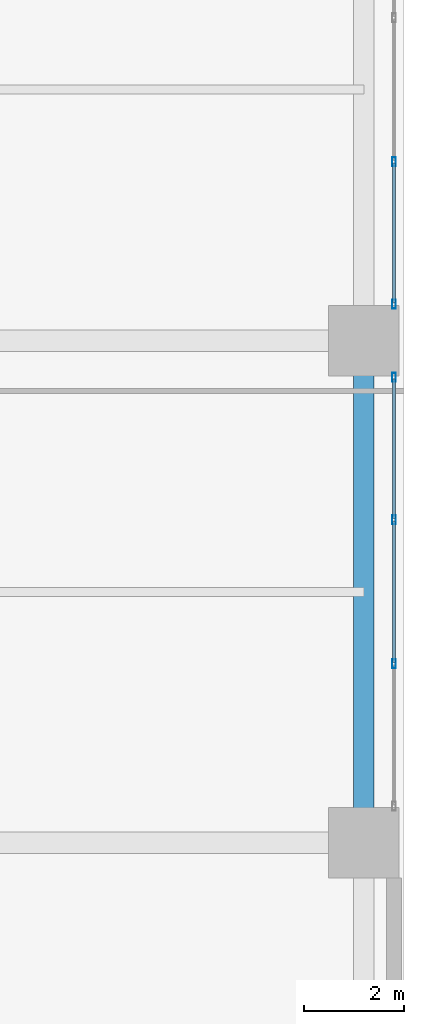
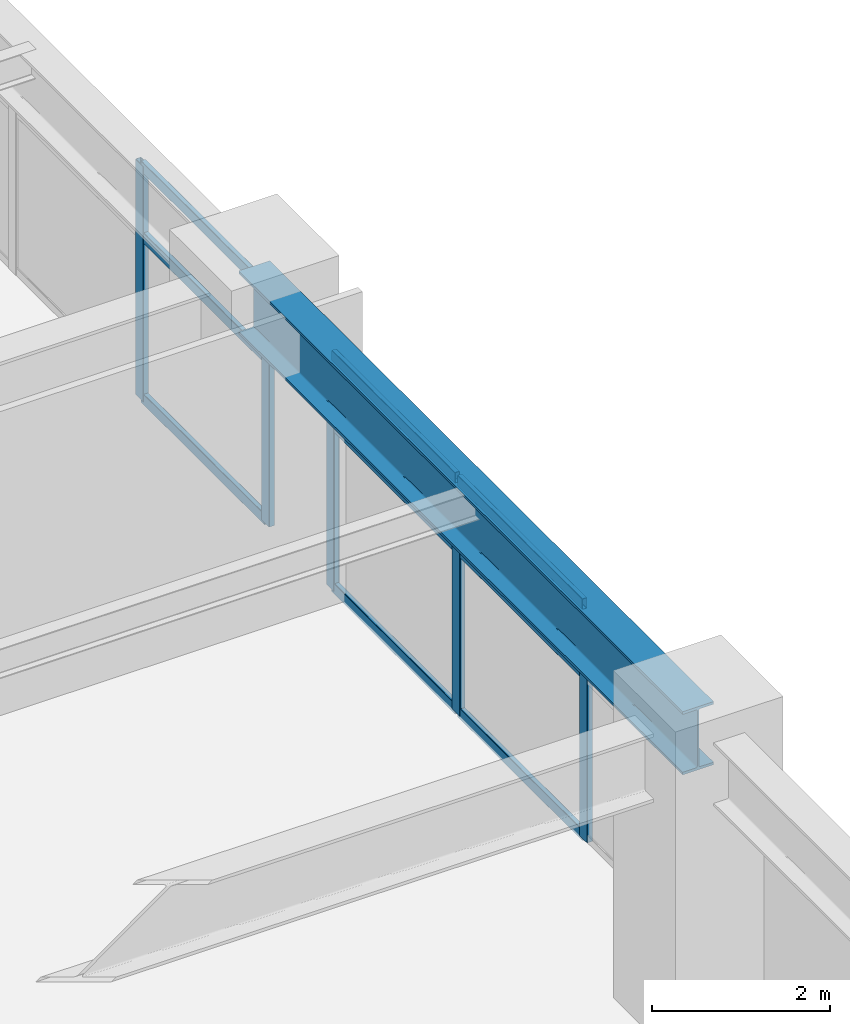
# One storey, part 15 of 28: 14 members, 1 beam, 2 elements without a shape of their own.
"""IFC4 building model written with IfcOpenShell, lengths in metres."""

import ifcopenshell
import ifcopenshell.guid

model = None  # the IFC model being written
_history = None  # IfcOwnerHistory: only IFC2X3 demands one
_inside = {}  # id of a spatial element -> (the spatial element, [elements in it])
_under = {}  # id of a project, library or spatial element -> (it, [spatial elements below it])
_declared = {}  # id of a project -> (the project, [libraries it declares])
_typed = {}  # id of a type object -> (the type object, [elements of that type])
_made_of = {}  # id of a material, layer set ... -> (it, [elements and type objects made of it])


def new_model(schema):
    """Start an empty IFC model of exactly this schema.

    Asked for "IFC4X3", IfcOpenShell would pick the latest addendum, in which some entities
    have other attributes; the version numbers below select the first issue.
    IFC2X3 requires an IfcOwnerHistory on every rooted entity: one is made here for all.
    """
    global model, _history
    if schema == "IFC4X3":
        model = ifcopenshell.file(schema_version=(4, 3, 0, 0))
    else:
        model = ifcopenshell.file(schema=schema)
    _inside.clear()
    _under.clear()
    _declared.clear()
    _typed.clear()
    _made_of.clear()
    _history = None
    if model.schema == "IFC2X3":
        org = make("IfcOrganization", Name="unknown")
        user = make(
            "IfcPersonAndOrganization",
            ThePerson=make("IfcPerson", FamilyName="unknown"),
            TheOrganization=org,
        )
        app = make(
            "IfcApplication",
            ApplicationDeveloper=org,
            Version="unknown",
            ApplicationFullName="unknown",
            ApplicationIdentifier="unknown",
        )
        _history = make(
            "IfcOwnerHistory",
            OwningUser=user,
            OwningApplication=app,
            ChangeAction="ADDED",
            CreationDate=0,
        )
    return model


def make(cls, **values):
    """One entity of the class cls with the attributes given. An attribute that is None is left unset."""
    return model.create_entity(
        cls, **{name: value for name, value in values.items() if value is not None}
    )


def rooted(cls, **values):
    """An entity with a GlobalId (a new one), such as an element, a storey or a relation."""
    return make(cls, GlobalId=ifcopenshell.guid.new(), OwnerHistory=_history, **values)


def si_unit(unit_type, name, prefix=None):
    """IfcSIUnit, for example si_unit("LENGTHUNIT", "METRE", prefix="MILLI")."""
    return make("IfcSIUnit", UnitType=unit_type, Prefix=prefix, Name=name)


def assignment(units):
    """IfcUnitAssignment: the units of a project."""
    return None if units is None else make("IfcUnitAssignment", Units=units)


def point(xyz):
    """IfcCartesianPoint."""
    return None if xyz is None else make("IfcCartesianPoint", Coordinates=xyz)


def direction(xyz):
    """IfcDirection."""
    return None if xyz is None else make("IfcDirection", DirectionRatios=xyz)


def frame(location, z_axis=None, x_axis=None):
    """IfcAxis2Placement3D, a coordinate frame: its origin and axes. An axis left out is left unset."""
    return make(
        "IfcAxis2Placement3D",
        Location=point(location),
        Axis=direction(z_axis),
        RefDirection=direction(x_axis),
    )


def frame_2d(location, x_axis=None):
    """IfcAxis2Placement2D, a coordinate frame in the plane: its origin and x axis."""
    return make(
        "IfcAxis2Placement2D", Location=point(location), RefDirection=direction(x_axis)
    )


def origin():
    """The frame at (0, 0, 0) with its axes left unset."""
    return frame((0.0, 0.0, 0.0))


def origin_2d():
    """The frame at (0, 0) in the plane with its x axis left unset."""
    return frame_2d((0.0, 0.0))


def place(relative_to, where):
    """IfcLocalPlacement: puts the frame where relative to a parent placement (None: the world)."""
    return make(
        "IfcLocalPlacement", PlacementRelTo=relative_to, RelativePlacement=where
    )


def context(
    kind, dimensions, precision=None, world=None, true_north=None, identifier=None
):
    """IfcGeometricRepresentationContext, for example the 3D "Model" context."""
    return make(
        "IfcGeometricRepresentationContext",
        ContextIdentifier=identifier,
        ContextType=kind,
        CoordinateSpaceDimension=dimensions,
        Precision=precision,
        WorldCoordinateSystem=world,
        TrueNorth=true_north,
    )


def subcontext(parent, identifier, kind, view, scale=None):
    """IfcGeometricRepresentationSubContext, for example "Body" below "Model"."""
    return make(
        "IfcGeometricRepresentationSubContext",
        ContextIdentifier=identifier,
        ContextType=kind,
        ParentContext=parent,
        TargetScale=scale,
        TargetView=view,
    )


def project(units=None, contexts=None):
    """IfcProject with its units and contexts."""
    return rooted(
        "IfcProject",
        Name="project",
        RepresentationContexts=contexts,
        UnitsInContext=assignment(units),
    )


def spatial(cls, under=None, at=None, **own):
    """A site, building, storey or space (cls), placed at a placement, below another one or the project."""
    s = rooted(cls, ObjectPlacement=at, **own)
    if under is not None:
        _under.setdefault(under.id(), (under, []))[1].append(s)
    return s


def profile(cls, at=None, kind="AREA", **sizes):
    """A parametric profile (cls). Its sizes go by their IFC names, for example OverallWidth=200.0."""
    return make(cls, ProfileType=kind, Position=at, **sizes)


def hollow_rectangle(**sizes):
    """IfcRectangleHollowProfileDef."""
    return profile("IfcRectangleHollowProfileDef", **sizes)


def i_section(**sizes):
    """IfcIShapeProfileDef."""
    return profile("IfcIShapeProfileDef", **sizes)


def extrude(swept, where, along, depth):
    """IfcExtrudedAreaSolid: the profile swept, set in the frame where, extruded along a direction by depth."""
    return make(
        "IfcExtrudedAreaSolid",
        SweptArea=swept,
        Position=where,
        ExtrudedDirection=direction(along),
        Depth=depth,
    )


def shape(context_of_items, identifier, shape_type, items):
    """IfcShapeRepresentation: the items that make up one representation, for example the "Body"."""
    return make(
        "IfcShapeRepresentation",
        ContextOfItems=context_of_items,
        RepresentationIdentifier=identifier,
        RepresentationType=shape_type,
        Items=items,
    )


def material(Name=None, Category=None):
    """IfcMaterial."""
    return make("IfcMaterial", Name=Name, Category=Category)


def layer(
    of_material, thickness, ventilated=None, Name=None, Category=None, Priority=None
):
    """IfcMaterialLayer: one layer of a wall or slab, of a material (None: an air gap)."""
    return make(
        "IfcMaterialLayer",
        Material=of_material,
        LayerThickness=thickness,
        IsVentilated=ventilated,
        Name=Name,
        Category=Category,
        Priority=Priority,
    )


def layer_set(layers, Name=None):
    """IfcMaterialLayerSet."""
    return make("IfcMaterialLayerSet", MaterialLayers=layers, LayerSetName=Name)


def material_profile(
    of_material, cross_section, Name=None, Category=None, Priority=None
):
    """IfcMaterialProfile: a cross section and its material."""
    return make(
        "IfcMaterialProfile",
        Name=Name,
        Material=of_material,
        Profile=cross_section,
        Priority=Priority,
        Category=Category,
    )


def profile_set(profiles, Name=None, composite=None):
    """IfcMaterialProfileSet."""
    return make(
        "IfcMaterialProfileSet",
        Name=Name,
        MaterialProfiles=profiles,
        CompositeProfile=composite,
    )


def made_of(thing, what):
    """Note that an element or type object is made of a material, layer set ...; save() writes the relation."""
    if what is not None:
        _made_of.setdefault(what.id(), (what, []))[1].append(thing)
    return thing


def type_object(cls, material=None, **own):
    """A type object (cls), such as IfcWallType, which elements share."""
    return made_of(rooted(cls, **own), material)


def element(
    cls,
    number,
    at=None,
    inside=None,
    cuts=None,
    type_object=None,
    material=None,
    context=None,
    identifier="Body",
    shape_type=None,
    held_by="IfcProductDefinitionShape",
    body=None,
    shapes=None,
    **own,
):
    """One element of the class cls, such as IfcWall. Its Tag is "e" and its number.

    at: its placement. inside: the storey or other place that contains it. cuts: it is an
    opening in that element (IfcRelVoidsElement). A single representation is given by context,
    identifier, shape_type and body (its items); several are given by shapes. held_by: the class
    of the entity that holds the representations. save() writes the other relations.
    """
    e = rooted(cls, Tag="e%d" % number, ObjectPlacement=at, **own)
    if body is not None:
        shapes = [shape(context, identifier, shape_type, body)]
    if shapes is not None:
        e.Representation = make(held_by, Representations=shapes)
    if inside is not None:
        _inside.setdefault(inside.id(), (inside, []))[1].append(e)
    if cuts is not None:
        rooted(
            "IfcRelVoidsElement", RelatingBuildingElement=cuts, RelatedOpeningElement=e
        )
    if type_object is not None:
        _typed.setdefault(type_object.id(), (type_object, []))[1].append(e)
    return made_of(e, material)


def aggregate(whole, parts):
    """IfcRelAggregates: a whole, such as a stair, and the parts it consists of."""
    return rooted("IfcRelAggregates", RelatingObject=whole, RelatedObjects=parts)


def save(model, path):
    """Write the relations noted so far, then the file.

    IfcRelAggregates (storeys below a building ...), IfcRelContainedInSpatialStructure (elements
    in a storey), IfcRelDefinesByType, IfcRelAssociatesMaterial and IfcRelDeclares: one each for
    every whole, place, type object, material and project.
    """
    for whole, parts in _under.values():
        aggregate(whole, parts)
    for where, things in _inside.values():
        rooted(
            "IfcRelContainedInSpatialStructure",
            RelatedElements=things,
            RelatingStructure=where,
        )
    for kind, things in _typed.values():
        rooted("IfcRelDefinesByType", RelatedObjects=things, RelatingType=kind)
    for what, things in _made_of.values():
        rooted("IfcRelAssociatesMaterial", RelatedObjects=things, RelatingMaterial=what)
    for by, libraries in _declared.values():
        rooted("IfcRelDeclares", RelatingContext=by, RelatedDefinitions=libraries)
    model.write(path)


model = new_model("IFC4")

# Units and contexts
model_context = context("Model", 3, precision=1e-05, world=origin(), true_north=direction((0.0, 1.0)))
body_context = subcontext(model_context, "Body", "Model", "MODEL_VIEW")
ifc_project = project(units=[si_unit("LENGTHUNIT", "METRE"), si_unit("AREAUNIT", "SQUARE_METRE"), si_unit("VOLUMEUNIT", "CUBIC_METRE"), si_unit("PLANEANGLEUNIT", "RADIAN"), si_unit("MASSUNIT", "GRAM", prefix="KILO")], contexts=[model_context])

# Site, building, storey
site_placement = place(None, origin())
site = spatial("IfcSite", under=ifc_project, at=site_placement, CompositionType="ELEMENT")
building_placement = place(site_placement, origin())
building = spatial("IfcBuilding", under=site, at=building_placement, Name="Soratama Intermodal Tower", CompositionType="ELEMENT")
storey_placement = place(building_placement, frame((0.0, 0.0, 20.699951171875)))
storey = spatial("IfcBuildingStorey", under=building, at=storey_placement, Name="L04", CompositionType="ELEMENT", Elevation=20.699951171875)

# Beam
ifc_material_1 = material(Name="Structural steel ASTM A992 Grade 50", Category="steel")
ifc_material_profile_1 = material_profile(ifc_material_1, i_section(OverallWidth=0.403076171875, OverallDepth=0.867919921875, WebThickness=0.02099609375, FlangeThickness=0.03564453125, FilletRadius=0.01806640625, at=origin_2d()), Name="W33X241")
ifc_profile_set_1 = profile_set([ifc_material_profile_1], Name="Structural steel ASTM A992 Grade 50")
beam_type = type_object("IfcBeamType", Name="BM-POD-EXT-W33", PredefinedType="BEAM", material=ifc_profile_set_1)
beam_placement = place(storey_placement, frame((83.199951171875, 15.0, 3.74609375), z_axis=(0.0, 1.0, 0.0), x_axis=(-1.0, 0.0, 0.0)))
element("IfcBeam", 1, at=beam_placement, inside=storey, type_object=beam_type, Name="L04 Station Girder Y4-2", PredefinedType="BEAM", context=body_context, shape_type="SweptSolid", body=[
    extrude(i_section(OverallWidth=0.403076171875, OverallDepth=0.867919921875, WebThickness=0.02099609375, FlangeThickness=0.03564453125, FilletRadius=0.01806640625, at=origin_2d()), origin(), (0.0, 0.0, 1.0), 10.0),
])

# Curtain wall, members
ifc_material_2 = material(Name="Double-glazed aluminium curtain wall", Category="aluminium")
ifc_layer = layer(ifc_material_2, 0.159912109375)
ifc_layer_set = layer_set([ifc_layer], Name="Double-glazed aluminium curtain wall")
curtain_wall_type = type_object("IfcCurtainWallType", Name="CW-SYS-1", PredefinedType="NOTDEFINED", material=ifc_layer_set)
curtain_wall_1_placement = place(storey_placement, origin())
curtain_wall_1 = element("IfcCurtainWall", 2, at=curtain_wall_1_placement, inside=storey, type_object=curtain_wall_type, Name="L04 Station Curtain Wall E1", PredefinedType="NOTDEFINED")
ifc_material_3 = material(Name="Anodised aluminium AA 6063-T6", Category="aluminium")
ifc_material_profile_2 = material_profile(ifc_material_3, hollow_rectangle(XDim=0.074951171875, YDim=0.179931640625, WallThickness=0.006103515625, InnerFilletRadius=0.006103515625, OuterFilletRadius=0.011962890625, at=origin_2d()), Name="CWM180X75X6")
ifc_profile_set_2 = profile_set([ifc_material_profile_2], Name="Anodised aluminium AA 6063-T6")
member_type_1 = type_object("IfcMemberType", Name="MT-CWM-1", PredefinedType="MULLION", material=ifc_profile_set_2)
member_1_placement = place(storey_placement, frame((83.800048828125, 18.566650390625, 0.0), z_axis=(0.0, 0.0, 1.0), x_axis=(-1.0, 0.0, 0.0)))
member_1 = element("IfcMember", 3, at=member_1_placement, type_object=member_type_1, Name="CW-1 mullion 2", PredefinedType="MULLION", context=body_context, shape_type="SweptSolid", body=[
    extrude(hollow_rectangle(XDim=0.074951171875, YDim=0.179931640625, WallThickness=0.006103515625, InnerFilletRadius=0.006103515625, OuterFilletRadius=0.011962890625, at=origin_2d()), origin(), (0.0, 0.0, 1.0), 3.236083984375),
])
member_2_placement = place(storey_placement, frame((83.800048828125, 21.433349609375, 0.0), z_axis=(0.0, 0.0, 1.0), x_axis=(-1.0, 0.0, 0.0)))
member_2 = element("IfcMember", 4, at=member_2_placement, type_object=member_type_1, Name="CW-1 mullion 3", PredefinedType="MULLION", context=body_context, shape_type="SweptSolid", body=[
    extrude(hollow_rectangle(XDim=0.074951171875, YDim=0.179931640625, WallThickness=0.006103515625, InnerFilletRadius=0.006103515625, OuterFilletRadius=0.011962890625, at=origin_2d()), origin(), (0.0, 0.0, 1.0), 3.236083984375),
])
member_3_placement = place(storey_placement, frame((83.800048828125, 24.27001953125, 0.0), z_axis=(0.0, 0.0, 1.0), x_axis=(-1.0, 0.0, 0.0)))
member_3 = element("IfcMember", 5, at=member_3_placement, type_object=member_type_1, Name="CW-1 mullion 4", PredefinedType="MULLION", context=body_context, shape_type="SweptSolid", body=[
    extrude(hollow_rectangle(XDim=0.074951171875, YDim=0.179931640625, WallThickness=0.006103515625, InnerFilletRadius=0.006103515625, OuterFilletRadius=0.011962890625, at=origin_2d()), origin(), (0.0, 0.0, 1.0), 3.236083984375),
])

curtain_wall_2_placement = place(storey_placement, origin())
curtain_wall_2 = element("IfcCurtainWall", 6, at=curtain_wall_2_placement, inside=storey, type_object=curtain_wall_type, Name="L04 Station Curtain Wall E2", PredefinedType="NOTDEFINED")
member_4_placement = place(storey_placement, frame((83.800048828125, 25.72998046875, 0.0), z_axis=(0.0, 0.0, 1.0), x_axis=(-1.0, 0.0, 0.0)))
member_4 = element("IfcMember", 7, at=member_4_placement, type_object=member_type_1, Name="CW-1 mullion 1", PredefinedType="MULLION", context=body_context, shape_type="SweptSolid", body=[
    extrude(hollow_rectangle(XDim=0.074951171875, YDim=0.179931640625, WallThickness=0.006103515625, InnerFilletRadius=0.006103515625, OuterFilletRadius=0.011962890625, at=origin_2d()), origin(), (0.0, 0.0, 1.0), 3.236083984375),
])
member_5_placement = place(storey_placement, frame((83.800048828125, 28.566650390625, 0.0), z_axis=(0.0, 0.0, 1.0), x_axis=(-1.0, 0.0, 0.0)))
member_5 = element("IfcMember", 8, at=member_5_placement, type_object=member_type_1, Name="CW-1 mullion 2", PredefinedType="MULLION", context=body_context, shape_type="SweptSolid", body=[
    extrude(hollow_rectangle(XDim=0.074951171875, YDim=0.179931640625, WallThickness=0.006103515625, InnerFilletRadius=0.006103515625, OuterFilletRadius=0.011962890625, at=origin_2d()), origin(), (0.0, 0.0, 1.0), 3.236083984375),
])

# Member
ifc_material_4 = material(Name="Anodised aluminium AA 6063-T6", Category="aluminium")
ifc_material_profile_3 = material_profile(ifc_material_4, hollow_rectangle(XDim=0.06494140625, YDim=0.14990234375, WallThickness=0.0048828125, InnerFilletRadius=0.0048828125, OuterFilletRadius=0.010009765625, at=origin_2d()), Name="CWT150X65X5")
ifc_profile_set_3 = profile_set([ifc_material_profile_3], Name="Anodised aluminium AA 6063-T6")
member_type_2 = type_object("IfcMemberType", Name="TT-CWT-1", PredefinedType="USERDEFINED", material=ifc_profile_set_3)
member_6_placement = place(storey_placement, frame((83.800048828125, 18.5966796875, 0.030029296875), z_axis=(0.0, 1.0, 0.0), x_axis=(-1.0, 0.0, 0.0)))
member_6 = element("IfcMember", 9, at=member_6_placement, type_object=member_type_2, Name="CW-1 transom 2.1", ObjectType="TRANSOM", PredefinedType="USERDEFINED", context=body_context, shape_type="SweptSolid", body=[
    extrude(hollow_rectangle(XDim=0.06494140625, YDim=0.14990234375, WallThickness=0.0048828125, InnerFilletRadius=0.0048828125, OuterFilletRadius=0.010009765625, at=origin_2d()), origin(), (0.0, 0.0, 1.0), 2.806640625),
])

member_7_placement = place(storey_placement, frame((83.800048828125, 18.5966796875, 2.25), z_axis=(0.0, 1.0, 0.0), x_axis=(-1.0, 0.0, 0.0)))
member_7 = element("IfcMember", 10, at=member_7_placement, type_object=member_type_2, Name="CW-1 transom 2.2", ObjectType="TRANSOM", PredefinedType="USERDEFINED", context=body_context, shape_type="SweptSolid", body=[
    extrude(hollow_rectangle(XDim=0.06494140625, YDim=0.14990234375, WallThickness=0.0048828125, InnerFilletRadius=0.0048828125, OuterFilletRadius=0.010009765625, at=origin_2d()), origin(), (0.0, 0.0, 1.0), 2.806640625),
])

member_8_placement = place(storey_placement, frame((83.800048828125, 18.5966796875, 3.2060546875), z_axis=(0.0, 1.0, 0.0), x_axis=(-1.0, 0.0, 0.0)))
member_8 = element("IfcMember", 11, at=member_8_placement, type_object=member_type_2, Name="CW-1 transom 2.3", ObjectType="TRANSOM", PredefinedType="USERDEFINED", context=body_context, shape_type="SweptSolid", body=[
    extrude(hollow_rectangle(XDim=0.06494140625, YDim=0.14990234375, WallThickness=0.0048828125, InnerFilletRadius=0.0048828125, OuterFilletRadius=0.010009765625, at=origin_2d()), origin(), (0.0, 0.0, 1.0), 2.806640625),
])

member_9_placement = place(storey_placement, frame((83.800048828125, 21.46337890625, 0.030029296875), z_axis=(0.0, 1.0, 0.0), x_axis=(-1.0, 0.0, 0.0)))
member_9 = element("IfcMember", 12, at=member_9_placement, type_object=member_type_2, Name="CW-1 transom 3.1", ObjectType="TRANSOM", PredefinedType="USERDEFINED", context=body_context, shape_type="SweptSolid", body=[
    extrude(hollow_rectangle(XDim=0.06494140625, YDim=0.14990234375, WallThickness=0.0048828125, InnerFilletRadius=0.0048828125, OuterFilletRadius=0.010009765625, at=origin_2d()), origin(), (0.0, 0.0, 1.0), 2.776611328125),
])

member_10_placement = place(storey_placement, frame((83.800048828125, 21.46337890625, 2.25), z_axis=(0.0, 1.0, 0.0), x_axis=(-1.0, 0.0, 0.0)))
member_10 = element("IfcMember", 13, at=member_10_placement, type_object=member_type_2, Name="CW-1 transom 3.2", ObjectType="TRANSOM", PredefinedType="USERDEFINED", context=body_context, shape_type="SweptSolid", body=[
    extrude(hollow_rectangle(XDim=0.06494140625, YDim=0.14990234375, WallThickness=0.0048828125, InnerFilletRadius=0.0048828125, OuterFilletRadius=0.010009765625, at=origin_2d()), origin(), (0.0, 0.0, 1.0), 2.776611328125),
])

member_11_placement = place(storey_placement, frame((83.800048828125, 21.46337890625, 3.2060546875), z_axis=(0.0, 1.0, 0.0), x_axis=(-1.0, 0.0, 0.0)))
member_11 = element("IfcMember", 14, at=member_11_placement, type_object=member_type_2, Name="CW-1 transom 3.3", ObjectType="TRANSOM", PredefinedType="USERDEFINED", context=body_context, shape_type="SweptSolid", body=[
    extrude(hollow_rectangle(XDim=0.06494140625, YDim=0.14990234375, WallThickness=0.0048828125, InnerFilletRadius=0.0048828125, OuterFilletRadius=0.010009765625, at=origin_2d()), origin(), (0.0, 0.0, 1.0), 2.776611328125),
])

aggregate(curtain_wall_1, [member_1, member_2, member_3, member_6, member_7, member_8, member_9, member_10, member_11])

member_12_placement = place(storey_placement, frame((83.800048828125, 25.760009765625, 0.030029296875), z_axis=(0.0, 1.0, 0.0), x_axis=(-1.0, 0.0, 0.0)))
member_12 = element("IfcMember", 15, at=member_12_placement, type_object=member_type_2, Name="CW-1 transom 1.1", ObjectType="TRANSOM", PredefinedType="USERDEFINED", context=body_context, shape_type="SweptSolid", body=[
    extrude(hollow_rectangle(XDim=0.06494140625, YDim=0.14990234375, WallThickness=0.0048828125, InnerFilletRadius=0.0048828125, OuterFilletRadius=0.010009765625, at=origin_2d()), origin(), (0.0, 0.0, 1.0), 2.776611328125),
])

member_13_placement = place(storey_placement, frame((83.800048828125, 25.760009765625, 2.25), z_axis=(0.0, 1.0, 0.0), x_axis=(-1.0, 0.0, 0.0)))
member_13 = element("IfcMember", 16, at=member_13_placement, type_object=member_type_2, Name="CW-1 transom 1.2", ObjectType="TRANSOM", PredefinedType="USERDEFINED", context=body_context, shape_type="SweptSolid", body=[
    extrude(hollow_rectangle(XDim=0.06494140625, YDim=0.14990234375, WallThickness=0.0048828125, InnerFilletRadius=0.0048828125, OuterFilletRadius=0.010009765625, at=origin_2d()), origin(), (0.0, 0.0, 1.0), 2.776611328125),
])

member_14_placement = place(storey_placement, frame((83.800048828125, 25.760009765625, 3.2060546875), z_axis=(0.0, 1.0, 0.0), x_axis=(-1.0, 0.0, 0.0)))
member_14 = element("IfcMember", 17, at=member_14_placement, type_object=member_type_2, Name="CW-1 transom 1.3", ObjectType="TRANSOM", PredefinedType="USERDEFINED", context=body_context, shape_type="SweptSolid", body=[
    extrude(hollow_rectangle(XDim=0.06494140625, YDim=0.14990234375, WallThickness=0.0048828125, InnerFilletRadius=0.0048828125, OuterFilletRadius=0.010009765625, at=origin_2d()), origin(), (0.0, 0.0, 1.0), 2.776611328125),
])

aggregate(curtain_wall_2, [member_4, member_5, member_12, member_13, member_14])

save(model, "model.ifc")
